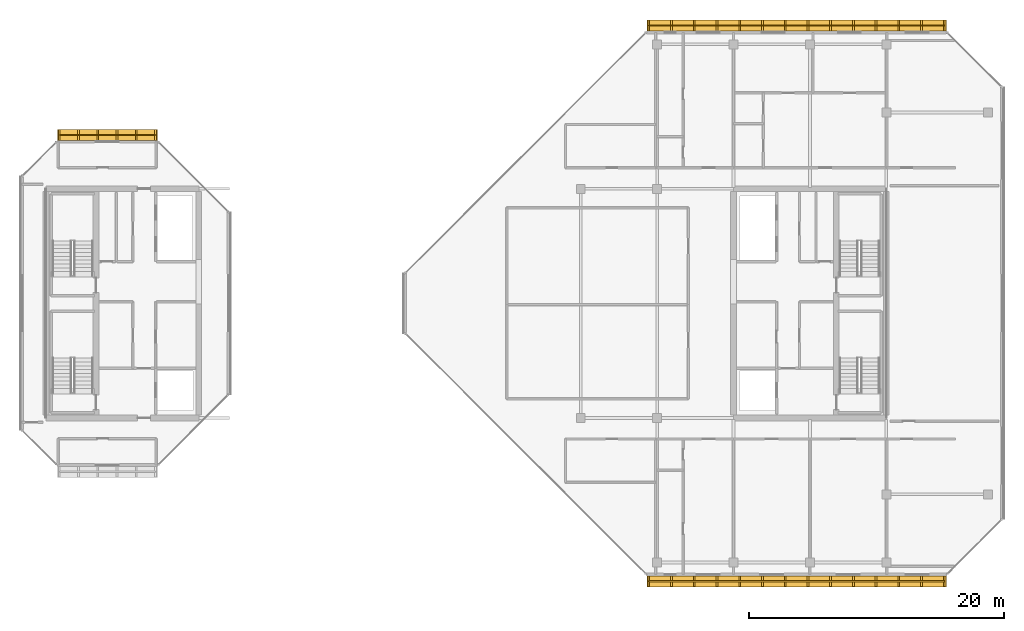
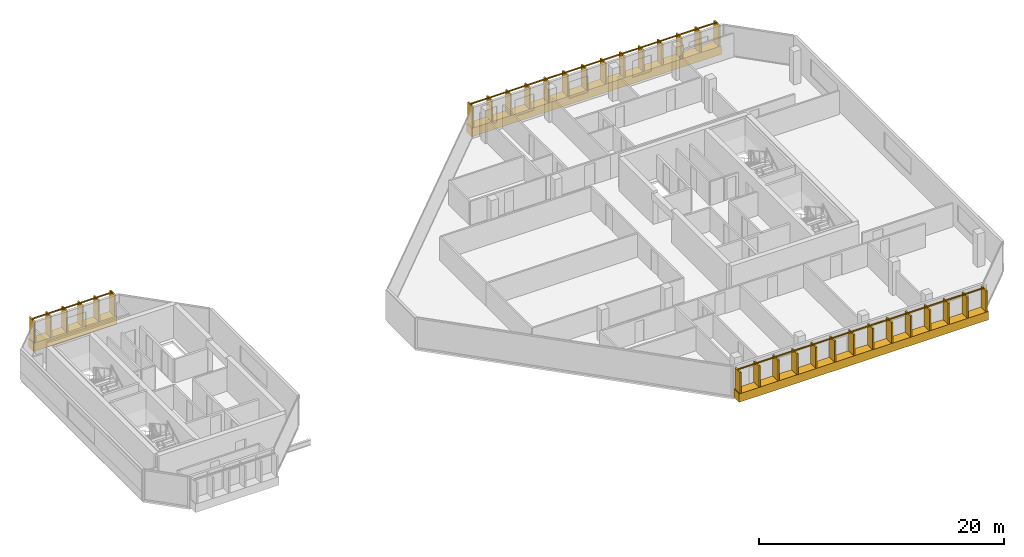
# One storey, part 27 of 28: 3 coverings, 3 railings.
"""IFC4 building model written with IfcOpenShell, lengths in metres."""

from ifc_helpers import new_model, si_unit, direction, frame, origin, origin_2d, place, context, subcontext, project, spatial, rectangle, extrude, material, layer, layer_set, type_object, element, save


model = new_model("IFC4")

# Units and contexts
model_context = context("Model", 3, precision=1e-05, world=origin(), true_north=direction((0.0, 1.0)))
body_context = subcontext(model_context, "Body", "Model", "MODEL_VIEW")
ifc_project = project(units=[si_unit("LENGTHUNIT", "METRE"), si_unit("AREAUNIT", "SQUARE_METRE"), si_unit("VOLUMEUNIT", "CUBIC_METRE"), si_unit("PLANEANGLEUNIT", "RADIAN"), si_unit("MASSUNIT", "GRAM", prefix="KILO")], contexts=[model_context])

# Site, building, storey
site_placement = place(None, origin())
site = spatial("IfcSite", under=ifc_project, at=site_placement, CompositionType="ELEMENT")
building_placement = place(site_placement, origin())
building = spatial("IfcBuilding", under=site, at=building_placement, Name="Tanjung Sevakor Pilgrim Tower", CompositionType="ELEMENT")
storey_placement = place(building_placement, frame((0.0, 0.0, 239.25)))
storey = spatial("IfcBuildingStorey", under=building, at=storey_placement, Name="L67", CompositionType="ELEMENT", Elevation=239.25)

# Coverings
ifc_material_1 = material(Name="Reconstructed Limestone Cladding", Category="masonry")
ifc_layer = layer(ifc_material_1, 0.044921875)
ifc_layer_set = layer_set([ifc_layer], Name="COV-CLAD-LIMESTONE")
covering_type = type_object("IfcCoveringType", Name="COV-CLAD-LIMESTONE", PredefinedType="CLADDING", material=ifc_layer_set)
covering_placement = place(storey_placement, frame((28.824951171875, 46.830078125, 0.009765625), z_axis=(0.0, 0.0, 1.0), x_axis=(-1.0, 0.0, 0.0)))
element("IfcCovering", 1, at=covering_placement, inside=storey, type_object=covering_type, Name="L67 Warm Limestone Sill Spandrel EW-L67-WEST-5-1", PredefinedType="CLADDING", context=body_context, shape_type="SweptSolid", body=[
    extrude(rectangle(XDim=7.87890625, YDim=0.860107421875, at=origin_2d()), origin(), (0.0, 0.0, 1.0), 0.840087890625),
])
for number, where, z_axis, x_axis, name in (
    (2, (82.949951171875, 11.77001953125, 0.009765625), (0.0, 0.0, 1.0), (1.0, 0.0, 0.0), "L67 Warm Limestone Sill Spandrel EW-L67-EAST-1-1"),
    (3, (82.949951171875, 55.429931640625, 0.009765625), (0.0, 0.0, 1.0), (-1.0, 0.0, 0.0), "L67 Warm Limestone Sill Spandrel EW-L67-EAST-5-1"),
):
    element("IfcCovering", number, at=place(storey_placement, frame(where, z_axis=z_axis, x_axis=x_axis)), inside=storey, type_object=covering_type, Name=name, PredefinedType="CLADDING", context=body_context, shape_type="SweptSolid", body=[
        extrude(rectangle(XDim=23.52880859375, YDim=0.860107421875, at=origin_2d()), origin(), (0.0, 0.0, 1.0), 0.840087890625),
    ])

# Railings
ifc_material_2 = material(Name="Anodised Bronze Aluminium 6063-T6", Category="aluminium")
railing_type = type_object("IfcRailingType", Name="RL-FIN-SCREEN", PredefinedType="BALUSTRADE", material=ifc_material_2)
railing_1_placement = place(storey_placement, frame((32.6044921875, 46.824951171875, 0.840087890625)))
element("IfcRailing", 4, at=railing_1_placement, inside=storey, type_object=railing_type, Name="L67 Vertical Bronze-Gold Solar Fin Screen FNSCR-EW-L67-WEST-5-1", PredefinedType="BALUSTRADE", context=body_context, shape_type="SweptSolid", body=[
    extrude(rectangle(XDim=0.105, YDim=0.105), frame((0.0, 0.0, 2.157470703125), z_axis=(-1.0, 0.0, 0.0), x_axis=(0.0, -1.0, 0.0)), (0.0, 0.0, 1.0), 7.558837890625),
    extrude(rectangle(XDim=0.14, YDim=0.85), origin(), (0.0, 0.0, 1.0), 2.10498046875),
    extrude(rectangle(XDim=0.14, YDim=0.85), frame((-1.51171875, 0.0, 0.0)), (0.0, 0.0, 1.0), 2.10498046875),
    extrude(rectangle(XDim=0.14, YDim=0.85), frame((-3.0234375, 0.0, 0.0)), (0.0, 0.0, 1.0), 2.10498046875),
    extrude(rectangle(XDim=0.14, YDim=0.85), frame((-4.535400390625, 0.0, 0.0)), (0.0, 0.0, 1.0), 2.10498046875),
    extrude(rectangle(XDim=0.14, YDim=0.85), frame((-6.047119140625, 0.0, 0.0)), (0.0, 0.0, 1.0), 2.10498046875),
    extrude(rectangle(XDim=0.14, YDim=0.85), frame((-7.558837890625, 0.0, 0.0)), (0.0, 0.0, 1.0), 2.10498046875),
])
railing_2_placement = place(storey_placement, frame((71.345703125, 11.77490234375, 0.840087890625)))
element("IfcRailing", 5, at=railing_2_placement, inside=storey, type_object=railing_type, Name="L67 Vertical Bronze-Gold Solar Fin Screen FNSCR-EW-L67-EAST-1-1", PredefinedType="BALUSTRADE", context=body_context, shape_type="SweptSolid", body=[
    extrude(rectangle(XDim=0.105, YDim=0.105), frame((0.0, 0.0, 2.157470703125), z_axis=(1.0, 0.0, 0.0), x_axis=(0.0, 1.0, 0.0)), (0.0, 0.0, 1.0), 23.208740234375),
    extrude(rectangle(XDim=0.14, YDim=0.85), origin(), (0.0, 0.0, 1.0), 2.10498046875),
    extrude(rectangle(XDim=0.14, YDim=0.85), frame((1.785400390625, 0.0, 0.0)), (0.0, 0.0, 1.0), 2.10498046875),
    extrude(rectangle(XDim=0.14, YDim=0.85), frame((3.570556640625, 0.0, 0.0)), (0.0, 0.0, 1.0), 2.10498046875),
    extrude(rectangle(XDim=0.14, YDim=0.85), frame((5.35595703125, 0.0, 0.0)), (0.0, 0.0, 1.0), 2.10498046875),
    extrude(rectangle(XDim=0.14, YDim=0.85), frame((7.14111328125, 0.0, 0.0)), (0.0, 0.0, 1.0), 2.10498046875),
    extrude(rectangle(XDim=0.14, YDim=0.85), frame((8.926513671875, 0.0, 0.0)), (0.0, 0.0, 1.0), 2.10498046875),
    extrude(rectangle(XDim=0.14, YDim=0.85), frame((10.711669921875, 0.0, 0.0)), (0.0, 0.0, 1.0), 2.10498046875),
    extrude(rectangle(XDim=0.14, YDim=0.85), frame((12.4970703125, 0.0, 0.0)), (0.0, 0.0, 1.0), 2.10498046875),
    extrude(rectangle(XDim=0.14, YDim=0.85), frame((14.2822265625, 0.0, 0.0)), (0.0, 0.0, 1.0), 2.10498046875),
    extrude(rectangle(XDim=0.14, YDim=0.85), frame((16.067626953125, 0.0, 0.0)), (0.0, 0.0, 1.0), 2.10498046875),
    extrude(rectangle(XDim=0.14, YDim=0.85), frame((17.852783203125, 0.0, 0.0)), (0.0, 0.0, 1.0), 2.10498046875),
    extrude(rectangle(XDim=0.14, YDim=0.85), frame((19.63818359375, 0.0, 0.0)), (0.0, 0.0, 1.0), 2.10498046875),
    extrude(rectangle(XDim=0.14, YDim=0.85), frame((21.42333984375, 0.0, 0.0)), (0.0, 0.0, 1.0), 2.10498046875),
    extrude(rectangle(XDim=0.14, YDim=0.85), frame((23.208740234375, 0.0, 0.0)), (0.0, 0.0, 1.0), 2.10498046875),
])
railing_3_placement = place(storey_placement, frame((94.554443359375, 55.425048828125, 0.840087890625)))
element("IfcRailing", 6, at=railing_3_placement, inside=storey, type_object=railing_type, Name="L67 Vertical Bronze-Gold Solar Fin Screen FNSCR-EW-L67-EAST-5-1", PredefinedType="BALUSTRADE", context=body_context, shape_type="SweptSolid", body=[
    extrude(rectangle(XDim=0.105, YDim=0.105), frame((0.0, 0.0, 2.157470703125), z_axis=(-1.0, 0.0, 0.0), x_axis=(0.0, -1.0, 0.0)), (0.0, 0.0, 1.0), 23.208740234375),
    extrude(rectangle(XDim=0.14, YDim=0.85), origin(), (0.0, 0.0, 1.0), 2.10498046875),
    extrude(rectangle(XDim=0.14, YDim=0.85), frame((-1.785400390625, 0.0, 0.0)), (0.0, 0.0, 1.0), 2.10498046875),
    extrude(rectangle(XDim=0.14, YDim=0.85), frame((-3.570556640625, 0.0, 0.0)), (0.0, 0.0, 1.0), 2.10498046875),
    extrude(rectangle(XDim=0.14, YDim=0.85), frame((-5.35595703125, 0.0, 0.0)), (0.0, 0.0, 1.0), 2.10498046875),
    extrude(rectangle(XDim=0.14, YDim=0.85), frame((-7.14111328125, 0.0, 0.0)), (0.0, 0.0, 1.0), 2.10498046875),
    extrude(rectangle(XDim=0.14, YDim=0.85), frame((-8.926513671875, 0.0, 0.0)), (0.0, 0.0, 1.0), 2.10498046875),
    extrude(rectangle(XDim=0.14, YDim=0.85), frame((-10.711669921875, 0.0, 0.0)), (0.0, 0.0, 1.0), 2.10498046875),
    extrude(rectangle(XDim=0.14, YDim=0.85), frame((-12.4970703125, 0.0, 0.0)), (0.0, 0.0, 1.0), 2.10498046875),
    extrude(rectangle(XDim=0.14, YDim=0.85), frame((-14.2822265625, 0.0, 0.0)), (0.0, 0.0, 1.0), 2.10498046875),
    extrude(rectangle(XDim=0.14, YDim=0.85), frame((-16.067626953125, 0.0, 0.0)), (0.0, 0.0, 1.0), 2.10498046875),
    extrude(rectangle(XDim=0.14, YDim=0.85), frame((-17.852783203125, 0.0, 0.0)), (0.0, 0.0, 1.0), 2.10498046875),
    extrude(rectangle(XDim=0.14, YDim=0.85), frame((-19.63818359375, 0.0, 0.0)), (0.0, 0.0, 1.0), 2.10498046875),
    extrude(rectangle(XDim=0.14, YDim=0.85), frame((-21.42333984375, 0.0, 0.0)), (0.0, 0.0, 1.0), 2.10498046875),
    extrude(rectangle(XDim=0.14, YDim=0.85), frame((-23.208740234375, 0.0, 0.0)), (0.0, 0.0, 1.0), 2.10498046875),
])

save(model, "model.ifc")
